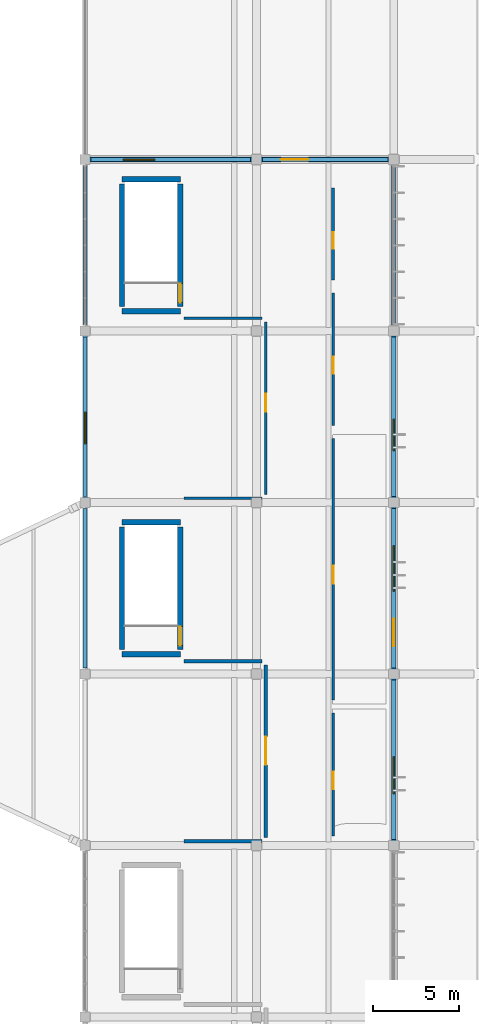
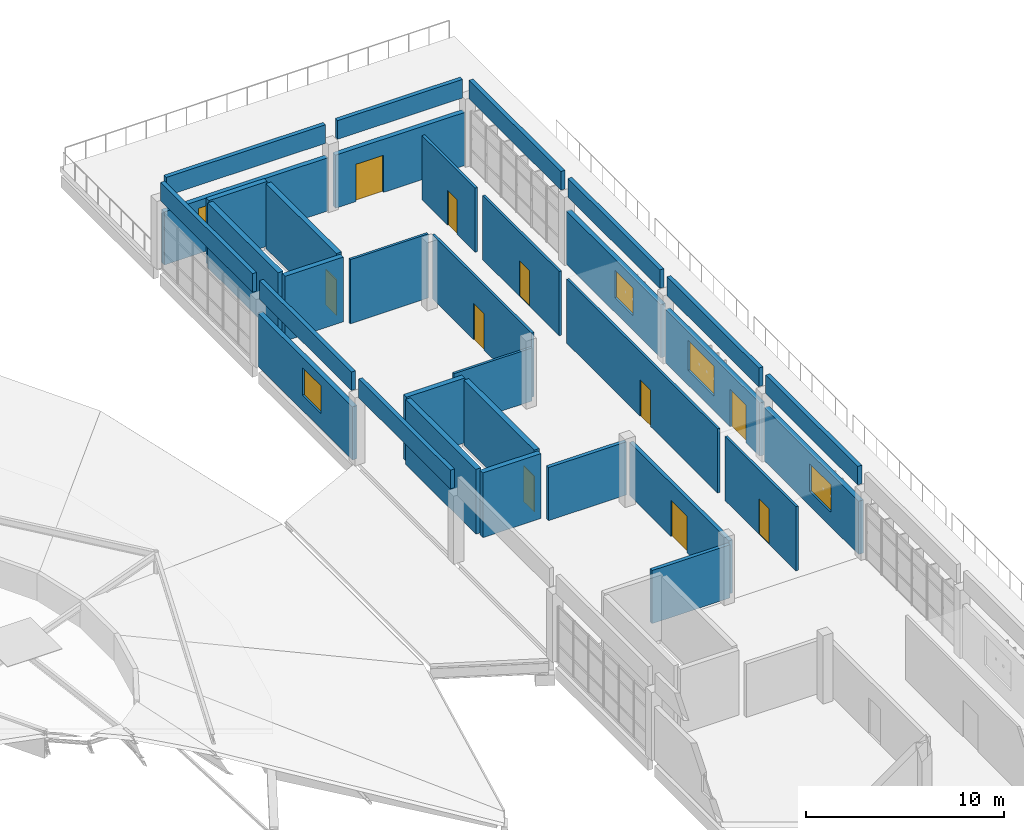
# One storey, part 32 of 39: 33 walls, 10 doors, 5 windows, 15 openings.
"""IFC4 building model written with IfcOpenShell, lengths in metres."""

from ifc_helpers import new_model, si_unit, direction, frame, frame_2d, origin, place, context, subcontext, project, spatial, rectangle, extrude, material, layer, layer_set, type_object, element, fill, save


model = new_model("IFC4")

# Units and contexts
model_context = context("Model", 3, precision=1e-05, world=origin(), true_north=direction((0.0, 1.0)))
body_context = subcontext(model_context, "Body", "Model", "MODEL_VIEW")
ifc_project = project(units=[si_unit("LENGTHUNIT", "METRE"), si_unit("AREAUNIT", "SQUARE_METRE"), si_unit("VOLUMEUNIT", "CUBIC_METRE"), si_unit("PLANEANGLEUNIT", "RADIAN"), si_unit("MASSUNIT", "GRAM", prefix="KILO")], contexts=[model_context])

# Site, building, storey
site_placement = place(None, origin())
site = spatial("IfcSite", under=ifc_project, at=site_placement, CompositionType="ELEMENT")
building_placement = place(site_placement, origin())
building = spatial("IfcBuilding", under=site, at=building_placement, Name="Corvandel Quay Wholesale Market", CompositionType="ELEMENT")
storey_placement = place(building_placement, frame((0.0, 0.0, 15.0)))
storey = spatial("IfcBuildingStorey", under=building, at=storey_placement, Name="L03", CompositionType="ELEMENT", Elevation=15.0)

# Wall, opening, window
ifc_material_1 = material(Name="Buff-pigmented precast concrete C45/55", Category="concrete")
ifc_layer_1 = layer(ifc_material_1, 0.280029296875)
ifc_layer_set_1 = layer_set([ifc_layer_1], Name="Buff-pigmented precast concrete C45/55")
wall_type_1 = type_object("IfcWallType", Name="Colonnade Spandrel Precast Wall EW07 280", PredefinedType="SOLIDWALL", material=ifc_layer_set_1)
wall_1_placement = place(storey_placement, frame((238.0, 50.219970703125, 0.0), z_axis=(0.0, 0.0, 1.0), x_axis=(0.0, 1.0, 0.0)))
wall_1 = element("IfcWall", 1, at=wall_1_placement, inside=storey, type_object=wall_type_1, Name="Exterior Wall EW-0386", PredefinedType="SOLIDWALL", context=body_context, shape_type="SweptSolid", body=[
    extrude(rectangle(XDim=9.56005859375, YDim=0.280029296875, at=frame_2d((4.780029296875, 0.0))), origin(), (0.0, 0.0, 1.0), 3.280029296875),
])
opening_1_placement = place(wall_1_placement, frame((2.800048828125, 0.0, 0.89990234375)))
opening_1 = element("IfcOpeningElement", 2, at=opening_1_placement, cuts=wall_1, Name="Opening L03-W009", PredefinedType="OPENING", context=body_context, shape_type="SweptSolid", body=[
    extrude(rectangle(XDim=2.14990234375, YDim=1.699951171875, at=frame_2d((1.074951171875, 0.85009765625))), frame((0.0, 0.14990234375, 0.0), z_axis=(0.0, -1.0, 0.0), x_axis=(1.0, 0.0, 0.0)), (0.0, 0.0, 1.0), 0.300048828125),
])
ifc_material_2 = material(Name="Thermally broken bronze anodised aluminium and solar-control low-E double glazing", Category="aluminium")
window_type_1 = type_object("IfcWindowType", Name="Seminar Room Daylight Window WN28 2150x1700", PartitioningType="SINGLE_PANEL", PredefinedType="WINDOW", material=ifc_material_2)
window_1_placement = place(opening_1_placement, origin())
window_1 = element("IfcWindow", 3, at=window_1_placement, inside=storey, type_object=window_type_1, Name="Window L03-W009", OverallHeight=1.699951171875, OverallWidth=2.14990234375, PartitioningType="SINGLE_PANEL", PredefinedType="WINDOW", context=body_context, shape_type="SweptSolid", body=[
    extrude(rectangle(XDim=2.14990234375, YDim=1.699951171875, at=frame_2d((1.074951171875, 0.85009765625))), frame((0.0, 0.030029296875, 0.0), z_axis=(0.0, -1.0, 0.0), x_axis=(1.0, 0.0, 0.0)), (0.0, 0.0, 1.0), 0.06005859375),
])
fill(opening_1, window_1)

# Wall, openings, window, door
wall_2_placement = place(storey_placement, frame((238.0, 60.219970703125, 0.0), z_axis=(0.0, 0.0, 1.0), x_axis=(0.0, 1.0, 0.0)))
wall_2 = element("IfcWall", 4, at=wall_2_placement, inside=storey, type_object=wall_type_1, Name="Exterior Wall EW-0387", PredefinedType="SOLIDWALL", context=body_context, shape_type="SweptSolid", body=[
    extrude(rectangle(XDim=9.56005859375, YDim=0.280029296875, at=frame_2d((4.780029296875, 0.0))), origin(), (0.0, 0.0, 1.0), 3.280029296875),
])
opening_2_placement = place(wall_2_placement, frame((1.39990234375, 0.0, 0.0)))
opening_2 = element("IfcOpeningElement", 5, at=opening_2_placement, cuts=wall_2, Name="Opening L03-D002", PredefinedType="OPENING", context=body_context, shape_type="SweptSolid", body=[
    extrude(rectangle(XDim=1.60009765625, YDim=2.300048828125, at=frame_2d((0.800048828125, 1.14990234375))), frame((0.0, 0.14990234375, 0.0), z_axis=(0.0, -1.0, 0.0), x_axis=(1.0, 0.0, 0.0)), (0.0, 0.0, 1.0), 0.300048828125),
])
opening_3_placement = place(wall_2_placement, frame((4.60009765625, 0.0, 0.89990234375)))
opening_3 = element("IfcOpeningElement", 6, at=opening_3_placement, cuts=wall_2, Name="Opening L03-W010", PredefinedType="OPENING", context=body_context, shape_type="SweptSolid", body=[
    extrude(rectangle(XDim=2.64990234375, YDim=1.85009765625, at=frame_2d((1.324951171875, 0.925048828125))), frame((0.0, 0.14990234375, 0.0), z_axis=(0.0, -1.0, 0.0), x_axis=(1.0, 0.0, 0.0)), (0.0, 0.0, 1.0), 0.300048828125),
])
window_type_2 = type_object("IfcWindowType", Name="Boardroom Panorama Window WN27 2650x1850", PartitioningType="SINGLE_PANEL", PredefinedType="WINDOW", material=ifc_material_2)
window_2_placement = place(opening_3_placement, origin())
window_2 = element("IfcWindow", 7, at=window_2_placement, inside=storey, type_object=window_type_2, Name="Window L03-W010", OverallHeight=1.85009765625, OverallWidth=2.64990234375, PartitioningType="SINGLE_PANEL", PredefinedType="WINDOW", context=body_context, shape_type="SweptSolid", body=[
    extrude(rectangle(XDim=2.64990234375, YDim=1.85009765625, at=frame_2d((1.324951171875, 0.925048828125))), frame((0.0, 0.030029296875, 0.0), z_axis=(0.0, -1.0, 0.0), x_axis=(1.0, 0.0, 0.0)), (0.0, 0.0, 1.0), 0.06005859375),
])
fill(opening_3, window_2)
ifc_material_3 = material(Name="Bronze anodised aluminium and low-E glass", Category="aluminium")
door_type_1 = type_object("IfcDoorType", Name="Terrace Garden Access Door ED04 1600x2300", OperationType="DOUBLE_DOOR_SINGLE_SWING", PredefinedType="DOOR", material=ifc_material_3)
door_1_placement = place(opening_2_placement, origin())
door_1 = element("IfcDoor", 8, at=door_1_placement, inside=storey, type_object=door_type_1, Name="Harbour Setback Terrace Door L03-60", OperationType="DOUBLE_DOOR_SINGLE_SWING", OverallHeight=2.300048828125, OverallWidth=1.60009765625, PredefinedType="DOOR", context=body_context, shape_type="SweptSolid", body=[
    extrude(rectangle(XDim=1.60009765625, YDim=2.300048828125, at=frame_2d((0.800048828125, 1.14990234375))), frame((0.0, 0.02490234375, 0.0), z_axis=(0.0, -1.0, 0.0), x_axis=(1.0, 0.0, 0.0)), (0.0, 0.0, 1.0), 0.050048828125),
])
fill(opening_2, door_1)

# Wall, opening, window
wall_3_placement = place(storey_placement, frame((238.0, 70.219970703125, 0.0), z_axis=(0.0, 0.0, 1.0), x_axis=(0.0, 1.0, 0.0)))
wall_3 = element("IfcWall", 9, at=wall_3_placement, inside=storey, type_object=wall_type_1, Name="Exterior Wall EW-0388", PredefinedType="SOLIDWALL", context=body_context, shape_type="SweptSolid", body=[
    extrude(rectangle(XDim=9.56005859375, YDim=0.280029296875, at=frame_2d((4.780029296875, 0.0))), origin(), (0.0, 0.0, 1.0), 3.280029296875),
])
opening_4_placement = place(wall_3_placement, frame((2.800048828125, 0.0, 0.89990234375)))
opening_4 = element("IfcOpeningElement", 10, at=opening_4_placement, cuts=wall_3, Name="Opening L03-W011", PredefinedType="OPENING", context=body_context, shape_type="SweptSolid", body=[
    extrude(rectangle(XDim=1.85009765625, YDim=1.699951171875, at=frame_2d((0.925048828125, 0.85009765625))), frame((0.0, 0.14990234375, 0.0), z_axis=(0.0, -1.0, 0.0), x_axis=(1.0, 0.0, 0.0)), (0.0, 0.0, 1.0), 0.300048828125),
])
window_type_3 = type_object("IfcWindowType", Name="Superintendent Suite Window WN20 1850x1700", PartitioningType="SINGLE_PANEL", PredefinedType="WINDOW", material=ifc_material_2)
window_3_placement = place(opening_4_placement, origin())
window_3 = element("IfcWindow", 11, at=window_3_placement, inside=storey, type_object=window_type_3, Name="Window L03-W011", OverallHeight=1.699951171875, OverallWidth=1.85009765625, PartitioningType="SINGLE_PANEL", PredefinedType="WINDOW", context=body_context, shape_type="SweptSolid", body=[
    extrude(rectangle(XDim=1.85009765625, YDim=1.699951171875, at=frame_2d((0.925048828125, 0.85009765625))), frame((0.0, 0.030029296875, 0.0), z_axis=(0.0, -1.0, 0.0), x_axis=(1.0, 0.0, 0.0)), (0.0, 0.0, 1.0), 0.06005859375),
])
fill(opening_4, window_3)

wall_4_placement = place(storey_placement, frame((220.0, 70.219970703125, 0.0), z_axis=(0.0, 0.0, 1.0), x_axis=(0.0, 1.0, 0.0)))
wall_4 = element("IfcWall", 12, at=wall_4_placement, inside=storey, type_object=wall_type_1, Name="Exterior Wall EW-0389", PredefinedType="SOLIDWALL", context=body_context, shape_type="SweptSolid", body=[
    extrude(rectangle(XDim=9.56005859375, YDim=0.280029296875, at=frame_2d((4.780029296875, 0.0))), origin(), (0.0, 0.0, 1.0), 3.280029296875),
])
opening_5_placement = place(wall_4_placement, frame((3.199951171875, 0.0, 0.949951171875)))
opening_5 = element("IfcOpeningElement", 13, at=opening_5_placement, cuts=wall_4, Name="Opening L03-W012", PredefinedType="OPENING", context=body_context, shape_type="SweptSolid", body=[
    extrude(rectangle(XDim=1.85009765625, YDim=1.699951171875, at=frame_2d((0.925048828125, 0.85009765625))), frame((0.0, 0.14990234375, 0.0), z_axis=(0.0, -1.0, 0.0), x_axis=(1.0, 0.0, 0.0)), (0.0, 0.0, 1.0), 0.300048828125),
])
window_4_placement = place(opening_5_placement, origin())
window_4 = element("IfcWindow", 14, at=window_4_placement, inside=storey, type_object=window_type_3, Name="Window L03-W012", OverallHeight=1.699951171875, OverallWidth=1.85009765625, PartitioningType="SINGLE_PANEL", PredefinedType="WINDOW", context=body_context, shape_type="SweptSolid", body=[
    extrude(rectangle(XDim=1.85009765625, YDim=1.699951171875, at=frame_2d((0.925048828125, 0.85009765625))), frame((0.0, 0.030029296875, 0.0), z_axis=(0.0, -1.0, 0.0), x_axis=(1.0, 0.0, 0.0)), (0.0, 0.0, 1.0), 0.06005859375),
])
fill(opening_5, window_4)

wall_5_placement = place(storey_placement, frame((220.219970703125, 90.0, 0.0), z_axis=(0.0, 0.0, 1.0), x_axis=(1.0, 0.0, 0.0)))
wall_5 = element("IfcWall", 15, at=wall_5_placement, inside=storey, type_object=wall_type_1, Name="Exterior Wall EW-0391", PredefinedType="SOLIDWALL", context=body_context, shape_type="SweptSolid", body=[
    extrude(rectangle(XDim=9.56005859375, YDim=0.280029296875, at=frame_2d((4.780029296875, 0.0))), origin(), (0.0, 0.0, 1.0), 3.280029296875),
])
opening_6_placement = place(wall_5_placement, frame((2.0, 0.0, 1.10009765625)))
opening_6 = element("IfcOpeningElement", 16, at=opening_6_placement, cuts=wall_5, Name="Opening L03-W014", PredefinedType="OPENING", context=body_context, shape_type="SweptSolid", body=[
    extrude(rectangle(XDim=1.85009765625, YDim=1.699951171875, at=frame_2d((0.925048828125, 0.85009765625))), frame((0.0, 0.14990234375, 0.0), z_axis=(0.0, -1.0, 0.0), x_axis=(1.0, 0.0, 0.0)), (0.0, 0.0, 1.0), 0.300048828125),
])
window_5_placement = place(opening_6_placement, origin())
window_5 = element("IfcWindow", 17, at=window_5_placement, inside=storey, type_object=window_type_3, Name="Window L03-W014", OverallHeight=1.699951171875, OverallWidth=1.85009765625, PartitioningType="SINGLE_PANEL", PredefinedType="WINDOW", context=body_context, shape_type="SweptSolid", body=[
    extrude(rectangle(XDim=1.85009765625, YDim=1.699951171875, at=frame_2d((0.925048828125, 0.85009765625))), frame((0.0, 0.030029296875, 0.0), z_axis=(0.0, -1.0, 0.0), x_axis=(1.0, 0.0, 0.0)), (0.0, 0.0, 1.0), 0.06005859375),
])
fill(opening_6, window_5)

# Wall, opening, door
wall_6_placement = place(storey_placement, frame((230.219970703125, 90.0, 0.0), z_axis=(0.0, 0.0, 1.0), x_axis=(1.0, 0.0, 0.0)))
wall_6 = element("IfcWall", 18, at=wall_6_placement, inside=storey, type_object=wall_type_1, Name="Exterior Wall EW-0393", PredefinedType="SOLIDWALL", context=body_context, shape_type="SweptSolid", body=[
    extrude(rectangle(XDim=7.56005859375, YDim=0.280029296875, at=frame_2d((3.780029296875, 0.0))), origin(), (0.0, 0.0, 1.0), 3.280029296875),
])
opening_7_placement = place(wall_6_placement, frame((1.199951171875, 0.0, 0.0)))
opening_7 = element("IfcOpeningElement", 19, at=opening_7_placement, cuts=wall_6, Name="Opening L03-D003", PredefinedType="OPENING", context=body_context, shape_type="SweptSolid", body=[
    extrude(rectangle(XDim=1.60009765625, YDim=2.300048828125, at=frame_2d((0.800048828125, 1.14990234375))), frame((0.0, 0.14990234375, 0.0), z_axis=(0.0, -1.0, 0.0), x_axis=(1.0, 0.0, 0.0)), (0.0, 0.0, 1.0), 0.300048828125),
])
door_2_placement = place(opening_7_placement, origin())
door_2 = element("IfcDoor", 20, at=door_2_placement, inside=storey, type_object=door_type_1, Name="North Terrace Door L03-232", OperationType="DOUBLE_DOOR_SINGLE_SWING", OverallHeight=2.300048828125, OverallWidth=1.60009765625, PredefinedType="DOOR", context=body_context, shape_type="SweptSolid", body=[
    extrude(rectangle(XDim=1.60009765625, YDim=2.300048828125, at=frame_2d((0.800048828125, 1.14990234375))), frame((0.0, 0.02490234375, 0.0), z_axis=(0.0, -1.0, 0.0), x_axis=(1.0, 0.0, 0.0)), (0.0, 0.0, 1.0), 0.050048828125),
])
fill(opening_7, door_2)

# Wall
ifc_material_4 = material(Name="Gypsum-clad steel stud framing", Category="steel")
ifc_layer_2 = layer(ifc_material_4, 0.2099609375)
ifc_layer_set_2 = layer_set([ifc_layer_2], Name="Gypsum-clad steel stud framing")
wall_type_2 = type_object("IfcWallType", Name="Corridor Rated Partition PT02 210", PredefinedType="PARTITIONING", material=ifc_layer_set_2)
wall_7_placement = place(storey_placement, frame((225.77001953125, 60.739990234375, 0.0), z_axis=(0.0, 0.0, 1.0), x_axis=(1.0, 0.0, 0.0)))
element("IfcWall", 21, at=wall_7_placement, inside=storey, type_object=wall_type_2, Name="Interior Wall IW-0915", PredefinedType="PARTITIONING", context=body_context, shape_type="SweptSolid", body=[
    extrude(rectangle(XDim=4.550048828125, YDim=0.2099609375, at=frame_2d((2.27490234375, 0.0))), origin(), (0.0, 0.0, 1.0), 3.280029296875),
])

# Wall, opening, door
wall_8_placement = place(storey_placement, frame((230.5400390625, 60.52001953125, 0.0), z_axis=(0.0, 0.0, 1.0), x_axis=(0.0, -1.0, 0.0)))
wall_8 = element("IfcWall", 22, at=wall_8_placement, inside=storey, type_object=wall_type_2, Name="Interior Wall IW-0916", PredefinedType="PARTITIONING", context=body_context, shape_type="SweptSolid", body=[
    extrude(rectangle(XDim=10.0400390625, YDim=0.2099609375, at=frame_2d((5.02001953125, 0.0))), origin(), (0.0, 0.0, 1.0), 3.280029296875),
])
opening_8_placement = place(wall_8_placement, frame((4.169921875, 0.0, 0.0)))
opening_8 = element("IfcOpeningElement", 23, at=opening_8_placement, cuts=wall_8, Name="Opening L03-D018", PredefinedType="OPENING", context=body_context, shape_type="SweptSolid", body=[
    extrude(rectangle(XDim=1.64990234375, YDim=2.25, at=frame_2d((0.824951171875, 1.125))), frame((0.0, 0.114990234375, 0.0), z_axis=(0.0, -1.0, 0.0), x_axis=(1.0, 0.0, 0.0)), (0.0, 0.0, 1.0), 0.22998046875),
])
ifc_material_5 = material(Name="HPL-faced hygienic timber core", Category="wood")
door_type_2 = type_object("IfcDoorType", Name="Laboratory Double Door ID08 1650x2250", OperationType="DOUBLE_DOOR_SINGLE_SWING", PredefinedType="DOOR", material=ifc_material_5)
door_3_placement = place(opening_8_placement, origin())
door_3 = element("IfcDoor", 24, at=door_3_placement, inside=storey, type_object=door_type_2, Name="Environmental Quality Control Laboratory Door", OperationType="DOUBLE_DOOR_SINGLE_SWING", OverallHeight=2.25, OverallWidth=1.64990234375, PredefinedType="DOOR", context=body_context, shape_type="SweptSolid", body=[
    extrude(rectangle(XDim=1.64990234375, YDim=2.25, at=frame_2d((0.824951171875, 1.125))), frame((0.0, 0.02490234375, 0.0), z_axis=(0.0, -1.0, 0.0), x_axis=(1.0, 0.0, 0.0)), (0.0, 0.0, 1.0), 0.050048828125),
])
fill(opening_8, door_3)

# Wall
wall_9_placement = place(storey_placement, frame((230.320068359375, 50.260009765625, 0.0), z_axis=(0.0, 0.0, 1.0), x_axis=(-1.0, 0.0, 0.0)))
element("IfcWall", 25, at=wall_9_placement, inside=storey, type_object=wall_type_2, Name="Interior Wall IW-0917", PredefinedType="PARTITIONING", context=body_context, shape_type="SweptSolid", body=[
    extrude(rectangle(XDim=4.550048828125, YDim=0.2099609375, at=frame_2d((2.27490234375, 0.0))), origin(), (0.0, 0.0, 1.0), 3.280029296875),
])

# Wall, opening, door
ifc_material_6 = material(Name="Double-layer acoustic gypsum stud partition")
ifc_layer_3 = layer(ifc_material_6, 0.139892578125)
ifc_layer_set_3 = layer_set([ifc_layer_3], Name="Double-layer acoustic gypsum stud partition")
wall_type_3 = type_object("IfcWallType", Name="Office Acoustic Partition PT07 140", PredefinedType="PARTITIONING", material=ifc_layer_set_3)
wall_10_placement = place(storey_placement, frame((234.4599609375, 50.556396484375, 0.0), z_axis=(0.0, 0.0, 1.0), x_axis=(0.0, 1.0, 0.0)))
wall_10 = element("IfcWall", 26, at=wall_10_placement, inside=storey, type_object=wall_type_3, Name="Interior Wall IW-0908", PredefinedType="PARTITIONING", context=body_context, shape_type="SweptSolid", body=[
    extrude(rectangle(XDim=7.16357421875, YDim=0.139892578125, at=frame_2d((3.581787109375, 0.0))), origin(), (0.0, 0.0, 1.0), 3.9599609375),
])
opening_9_placement = place(wall_10_placement, frame((2.73193359375, 0.0, 0.0)))
opening_9 = element("IfcOpeningElement", 27, at=opening_9_placement, cuts=wall_10, Name="Opening L03-D013", PredefinedType="OPENING", context=body_context, shape_type="SweptSolid", body=[
    extrude(rectangle(XDim=1.0, YDim=2.199951171875, at=frame_2d((0.5, 1.10009765625))), frame((0.0, 0.079833984375, 0.0), z_axis=(0.0, -1.0, 0.0), x_axis=(1.0, 0.0, 0.0)), (0.0, 0.0, 1.0), 0.159912109375),
])
ifc_material_7 = material(Name="Stained oak solid-core acoustic timber", Category="wood")
door_type_3 = type_object("IfcDoorType", Name="Office Entry Door ID09 1000x2200L", OperationType="SINGLE_SWING_LEFT", PredefinedType="DOOR", material=ifc_material_7)
door_4_placement = place(opening_9_placement, origin())
door_4 = element("IfcDoor", 28, at=door_4_placement, inside=storey, type_object=door_type_3, Name="Market Traders Office Suite North Door", OperationType="SINGLE_SWING_LEFT", OverallHeight=2.199951171875, OverallWidth=1.0, PredefinedType="DOOR", context=body_context, shape_type="SweptSolid", body=[
    extrude(rectangle(XDim=1.0, YDim=2.199951171875, at=frame_2d((0.5, 1.10009765625))), frame((0.0, 0.02490234375, 0.0), z_axis=(0.0, -1.0, 0.0), x_axis=(1.0, 0.0, 0.0)), (0.0, 0.0, 1.0), 0.050048828125),
])
fill(opening_9, door_4)

wall_11_placement = place(storey_placement, frame((234.4599609375, 58.47998046875, 0.0), z_axis=(0.0, 0.0, 1.0), x_axis=(0.0, 1.0, 0.0)))
wall_11 = element("IfcWall", 29, at=wall_11_placement, inside=storey, type_object=wall_type_3, Name="Interior Wall IW-0909", PredefinedType="PARTITIONING", context=body_context, shape_type="SweptSolid", body=[
    extrude(rectangle(XDim=15.239990234375, YDim=0.139892578125, at=frame_2d((7.6201171875, 0.0))), origin(), (0.0, 0.0, 1.0), 3.9599609375),
])
opening_10_placement = place(wall_11_placement, frame((6.77001953125, 0.0, 0.0)))
opening_10 = element("IfcOpeningElement", 30, at=opening_10_placement, cuts=wall_11, Name="Opening L03-D014", PredefinedType="OPENING", context=body_context, shape_type="SweptSolid", body=[
    extrude(rectangle(XDim=1.050048828125, YDim=2.25, at=frame_2d((0.52490234375, 1.125))), frame((0.0, 0.079833984375, 0.0), z_axis=(0.0, -1.0, 0.0), x_axis=(1.0, 0.0, 0.0)), (0.0, 0.0, 1.0), 0.159912109375),
])
ifc_material_8 = material(Name="Stained oak acoustic glazed timber", Category="wood")
door_type_4 = type_object("IfcDoorType", Name="Meeting Room Door ID12 1050x2250R", OperationType="SINGLE_SWING_RIGHT", PredefinedType="DOOR", material=ifc_material_8)
door_5_placement = place(opening_10_placement, origin())
door_5 = element("IfcDoor", 31, at=door_5_placement, inside=storey, type_object=door_type_4, Name="Market Exhibition Seminar Room Door", OperationType="SINGLE_SWING_RIGHT", OverallHeight=2.25, OverallWidth=1.050048828125, PredefinedType="DOOR", context=body_context, shape_type="SweptSolid", body=[
    extrude(rectangle(XDim=1.050048828125, YDim=2.25, at=frame_2d((0.52490234375, 1.125))), frame((0.0, 0.02490234375, 0.0), z_axis=(0.0, -1.0, 0.0), x_axis=(1.0, 0.0, 0.0)), (0.0, 0.0, 1.0), 0.050048828125),
])
fill(opening_10, door_5)

wall_12_placement = place(storey_placement, frame((234.4599609375, 74.47998046875, 0.0), z_axis=(0.0, 0.0, 1.0), x_axis=(0.0, 1.0, 0.0)))
wall_12 = element("IfcWall", 32, at=wall_12_placement, inside=storey, type_object=wall_type_3, Name="Interior Wall IW-0910", PredefinedType="PARTITIONING", context=body_context, shape_type="SweptSolid", body=[
    extrude(rectangle(XDim=7.739990234375, YDim=0.139892578125, at=frame_2d((3.8701171875, 0.0))), origin(), (0.0, 0.0, 1.0), 3.9599609375),
])
opening_11_placement = place(wall_12_placement, frame((3.02001953125, 0.0, 0.0)))
opening_11 = element("IfcOpeningElement", 33, at=opening_11_placement, cuts=wall_12, Name="Opening L03-D015", PredefinedType="OPENING", context=body_context, shape_type="SweptSolid", body=[
    extrude(rectangle(XDim=1.0, YDim=2.199951171875, at=frame_2d((0.5, 1.10009765625))), frame((0.0, 0.079833984375, 0.0), z_axis=(0.0, -1.0, 0.0), x_axis=(1.0, 0.0, 0.0)), (0.0, 0.0, 1.0), 0.159912109375),
])
door_6_placement = place(opening_11_placement, origin())
door_6 = element("IfcDoor", 34, at=door_6_placement, inside=storey, type_object=door_type_3, Name="Staff Refreshment Pantry and Lounge Door", OperationType="SINGLE_SWING_LEFT", OverallHeight=2.199951171875, OverallWidth=1.0, PredefinedType="DOOR", context=body_context, shape_type="SweptSolid", body=[
    extrude(rectangle(XDim=1.0, YDim=2.199951171875, at=frame_2d((0.5, 1.10009765625))), frame((0.0, 0.02490234375, 0.0), z_axis=(0.0, -1.0, 0.0), x_axis=(1.0, 0.0, 0.0)), (0.0, 0.0, 1.0), 0.050048828125),
])
fill(opening_11, door_6)

# Wall
wall_13_placement = place(storey_placement, frame((225.77001953125, 80.739990234375, 0.0), z_axis=(0.0, 0.0, 1.0), x_axis=(1.0, 0.0, 0.0)))
element("IfcWall", 35, at=wall_13_placement, inside=storey, type_object=wall_type_3, Name="Interior Wall IW-0918", PredefinedType="PARTITIONING", context=body_context, shape_type="SweptSolid", body=[
    extrude(rectangle(XDim=4.550048828125, YDim=0.139892578125, at=frame_2d((2.27490234375, 0.0))), origin(), (0.0, 0.0, 1.0), 3.9599609375),
])

# Wall, opening, door
wall_14_placement = place(storey_placement, frame((230.5400390625, 80.52001953125, 0.0), z_axis=(0.0, 0.0, 1.0), x_axis=(0.0, -1.0, 0.0)))
wall_14 = element("IfcWall", 36, at=wall_14_placement, inside=storey, type_object=wall_type_3, Name="Interior Wall IW-0919", PredefinedType="PARTITIONING", context=body_context, shape_type="SweptSolid", body=[
    extrude(rectangle(XDim=10.0400390625, YDim=0.139892578125, at=frame_2d((5.02001953125, 0.0))), origin(), (0.0, 0.0, 1.0), 3.9599609375),
])
opening_12_placement = place(wall_14_placement, frame((4.169921875, 0.0, 0.0)))
opening_12 = element("IfcOpeningElement", 37, at=opening_12_placement, cuts=wall_14, Name="Opening L03-D019", PredefinedType="OPENING", context=body_context, shape_type="SweptSolid", body=[
    extrude(rectangle(XDim=1.050048828125, YDim=2.25, at=frame_2d((0.52490234375, 1.125))), frame((0.0, 0.079833984375, 0.0), z_axis=(0.0, -1.0, 0.0), x_axis=(1.0, 0.0, 0.0)), (0.0, 0.0, 1.0), 0.159912109375),
])
door_type_5 = type_object("IfcDoorType", Name="Meeting Room Door ID11 1050x2250L", OperationType="SINGLE_SWING_LEFT", PredefinedType="DOOR", material=ifc_material_8)
door_7_placement = place(opening_12_placement, origin())
door_7 = element("IfcDoor", 38, at=door_7_placement, inside=storey, type_object=door_type_5, Name="Trade Arbitration Hearing Room Door", OperationType="SINGLE_SWING_LEFT", OverallHeight=2.25, OverallWidth=1.050048828125, PredefinedType="DOOR", context=body_context, shape_type="SweptSolid", body=[
    extrude(rectangle(XDim=1.050048828125, YDim=2.25, at=frame_2d((0.52490234375, 1.125))), frame((0.0, 0.02490234375, 0.0), z_axis=(0.0, -1.0, 0.0), x_axis=(1.0, 0.0, 0.0)), (0.0, 0.0, 1.0), 0.050048828125),
])
fill(opening_12, door_7)

# Walls
wall_15_placement = place(storey_placement, frame((230.320068359375, 70.260009765625, 0.0), z_axis=(0.0, 0.0, 1.0), x_axis=(-1.0, 0.0, 0.0)))
element("IfcWall", 39, at=wall_15_placement, inside=storey, type_object=wall_type_3, Name="Interior Wall IW-0920", PredefinedType="PARTITIONING", context=body_context, shape_type="SweptSolid", body=[
    extrude(rectangle(XDim=4.550048828125, YDim=0.139892578125, at=frame_2d((2.27490234375, 0.0))), origin(), (0.0, 0.0, 1.0), 3.280029296875),
])
ifc_material_9 = material(Name="White precast concrete C45/55", Category="concrete")
ifc_layer_4 = layer(ifc_material_9, 0.239990234375)
ifc_layer_set_4 = layer_set([ifc_layer_4], Name="White precast concrete C45/55")
wall_type_4 = type_object("IfcWallType", Name="Roof Precast Parapet Wall PP01 240", PredefinedType="PARAPET", material=ifc_layer_set_4)
wall_16_placement = place(storey_placement, frame((220.35009765625, 90.0, 4.199951171875), z_axis=(0.0, 0.0, 1.0), x_axis=(1.0, 0.0, 0.0)))
element("IfcWall", 40, at=wall_16_placement, inside=storey, type_object=wall_type_4, Name="Exterior Wall EW-0395", PredefinedType="PARAPET", context=body_context, shape_type="SweptSolid", body=[
    extrude(rectangle(XDim=9.2998046875, YDim=0.239990234375, at=frame_2d((4.64990234375, 0.0))), origin(), (0.0, 0.0, 1.0), 1.150146484375),
])
wall_17_placement = place(storey_placement, frame((230.35009765625, 90.0, 4.199951171875), z_axis=(0.0, 0.0, 1.0), x_axis=(1.0, 0.0, 0.0)))
element("IfcWall", 41, at=wall_17_placement, inside=storey, type_object=wall_type_4, Name="Exterior Wall EW-0397", PredefinedType="PARAPET", context=body_context, shape_type="SweptSolid", body=[
    extrude(rectangle(XDim=7.2998046875, YDim=0.239990234375, at=frame_2d((3.64990234375, 0.0))), origin(), (0.0, 0.0, 1.0), 1.150146484375),
])
for number, where, z_axis, x_axis, name in (
    (42, (238.0, 50.35009765625, 4.199951171875), (0.0, 0.0, 1.0), (0.0, 1.0, 0.0), "Exterior Wall EW-0407"),
    (43, (220.0, 60.35009765625, 4.199951171875), (0.0, 0.0, 1.0), (0.0, 1.0, 0.0), "Exterior Wall EW-0408"),
    (44, (238.0, 60.35009765625, 4.199951171875), (0.0, 0.0, 1.0), (0.0, 1.0, 0.0), "Exterior Wall EW-0409"),
    (45, (220.0, 70.35009765625, 4.199951171875), (0.0, 0.0, 1.0), (0.0, 1.0, 0.0), "Exterior Wall EW-0410"),
    (46, (238.0, 70.35009765625, 4.199951171875), (0.0, 0.0, 1.0), (0.0, 1.0, 0.0), "Exterior Wall EW-0411"),
    (47, (220.0, 80.35009765625, 4.199951171875), (0.0, 0.0, 1.0), (0.0, 1.0, 0.0), "Exterior Wall EW-0412"),
    (48, (238.0, 80.35009765625, 4.199951171875), (0.0, 0.0, 1.0), (0.0, 1.0, 0.0), "Exterior Wall EW-0413"),
):
    element("IfcWall", number, at=place(storey_placement, frame(where, z_axis=z_axis, x_axis=x_axis)), inside=storey, type_object=wall_type_4, Name=name, PredefinedType="PARAPET", context=body_context, shape_type="SweptSolid", body=[
        extrude(rectangle(XDim=9.2998046875, YDim=0.239990234375, at=frame_2d((4.64990234375, 0.0))), origin(), (0.0, 0.0, 1.0), 1.150146484375),
    ])

# Wall, opening, door
ifc_material_10 = material(Name="Moisture-resistant tile-backer partition")
ifc_layer_5 = layer(ifc_material_10, 0.159912109375)
ifc_layer_set_5 = layer_set([ifc_layer_5], Name="Moisture-resistant tile-backer partition")
wall_type_5 = type_object("IfcWallType", Name="Sanitary Tile Partition PT06 160", PredefinedType="PARTITIONING", material=ifc_layer_set_5)
wall_18_placement = place(storey_placement, frame((234.4599609375, 82.97998046875, 0.0), z_axis=(0.0, 0.0, 1.0), x_axis=(0.0, 1.0, 0.0)))
wall_18 = element("IfcWall", 49, at=wall_18_placement, inside=storey, type_object=wall_type_5, Name="Interior Wall IW-0911", PredefinedType="PARTITIONING", context=body_context, shape_type="SweptSolid", body=[
    extrude(rectangle(XDim=5.35009765625, YDim=0.159912109375, at=frame_2d((2.675048828125, 0.0))), origin(), (0.0, 0.0, 1.0), 3.9599609375),
])
opening_13_placement = place(wall_18_placement, frame((1.824951171875, 0.0, 0.0)))
opening_13 = element("IfcOpeningElement", 50, at=opening_13_placement, cuts=wall_18, Name="Opening L03-D016", PredefinedType="OPENING", context=body_context, shape_type="SweptSolid", body=[
    extrude(rectangle(XDim=0.949951171875, YDim=2.14990234375, at=frame_2d((0.47509765625, 1.074951171875))), frame((0.0, 0.08984375, 0.0), z_axis=(0.0, -1.0, 0.0), x_axis=(1.0, 0.0, 0.0)), (0.0, 0.0, 1.0), 0.179931640625),
])
ifc_material_11 = material(Name="Moisture-resistant HPL solid core")
door_type_6 = type_object("IfcDoorType", Name="Accessible Restroom Door ID14 950x2150R", OperationType="SINGLE_SWING_RIGHT", PredefinedType="DOOR", material=ifc_material_11)
door_8_placement = place(opening_13_placement, origin())
door_8 = element("IfcDoor", 51, at=door_8_placement, inside=storey, type_object=door_type_6, Name="Public Accessible Toilet and Restroom L03 Door", OperationType="SINGLE_SWING_RIGHT", OverallHeight=2.14990234375, OverallWidth=0.949951171875, PredefinedType="DOOR", context=body_context, shape_type="SweptSolid", body=[
    extrude(rectangle(XDim=0.949951171875, YDim=2.14990234375, at=frame_2d((0.47509765625, 1.074951171875))), frame((0.0, 0.02490234375, 0.0), z_axis=(0.0, -1.0, 0.0), x_axis=(1.0, 0.0, 0.0)), (0.0, 0.0, 1.0), 0.050048828125),
])
fill(opening_13, door_8)

# Walls
ifc_material_12 = material(Name="Concrete C40/50", Category="concrete")
ifc_layer_6 = layer(ifc_material_12, 0.300048828125)
ifc_layer_set_6 = layer_set([ifc_layer_6], Name="Concrete C40/50")
wall_type_6 = type_object("IfcWallType", Name="Stair Shaft Shear Wall SW02 300", PredefinedType="SHEAR", material=ifc_layer_set_6)
for number, where, z_axis, x_axis, name in (
    (52, (222.14990234375, 61.14990234375, 0.0), (0.0, 0.0, 1.0), (1.0, 0.0, 0.0), "Shear Wall IW-0205"),
    (53, (222.14990234375, 68.85009765625, 0.0), (0.0, 0.0, 1.0), (1.0, 0.0, 0.0), "Shear Wall IW-0206"),
):
    element("IfcWall", number, at=place(storey_placement, frame(where, z_axis=z_axis, x_axis=x_axis)), inside=storey, type_object=wall_type_6, Name=name, PredefinedType="SHEAR", context=body_context, shape_type="SweptSolid", body=[
        extrude(rectangle(XDim=3.400146484375, YDim=0.300048828125, at=frame_2d((1.7001953125, 0.0))), origin(), (0.0, 0.0, 1.0), 4.0),
    ])
wall_19_placement = place(storey_placement, frame((222.14990234375, 61.43994140625, 0.0), z_axis=(0.0, 0.0, 1.0), x_axis=(0.0, 1.0, 0.0)))
element("IfcWall", 54, at=wall_19_placement, inside=storey, type_object=wall_type_6, Name="Shear Wall IW-0207", PredefinedType="SHEAR", context=body_context, shape_type="SweptSolid", body=[
    extrude(rectangle(XDim=7.1201171875, YDim=0.300048828125, at=frame_2d((3.56005859375, 0.0))), origin(), (0.0, 0.0, 1.0), 4.0),
])

# Wall, opening, door
wall_20_placement = place(storey_placement, frame((225.550048828125, 61.43994140625, 0.0), z_axis=(0.0, 0.0, 1.0), x_axis=(0.0, 1.0, 0.0)))
wall_20 = element("IfcWall", 55, at=wall_20_placement, inside=storey, type_object=wall_type_6, Name="Shear Wall IW-0208", PredefinedType="SHEAR", context=body_context, shape_type="SweptSolid", body=[
    extrude(rectangle(XDim=7.1201171875, YDim=0.300048828125, at=frame_2d((3.56005859375, 0.0))), origin(), (0.0, 0.0, 1.0), 4.0),
])
opening_14_placement = place(wall_20_placement, frame((0.219970703125, 0.0, 0.0)))
opening_14 = element("IfcOpeningElement", 56, at=opening_14_placement, cuts=wall_20, Name="Opening L03-D006", PredefinedType="OPENING", context=body_context, shape_type="SweptSolid", body=[
    extrude(rectangle(XDim=1.10009765625, YDim=2.199951171875, at=frame_2d((0.550048828125, 1.10009765625))), frame((0.0, 0.159912109375, 0.0), z_axis=(0.0, -1.0, 0.0), x_axis=(1.0, 0.0, 0.0)), (0.0, 0.0, 1.0), 0.320068359375),
])
ifc_material_13 = material(Name="Galvanised fire-rated hollow steel", Category="steel")
door_type_7 = type_object("IfcDoorType", Name="Exit Stair Fire Door ID02 1100x2200R", OperationType="SINGLE_SWING_RIGHT", PredefinedType="DOOR", material=ifc_material_13)
door_9_placement = place(opening_14_placement, origin())
door_9 = element("IfcDoor", 57, at=door_9_placement, inside=storey, type_object=door_type_7, Name="Exit Stair Door SH18-L03", OperationType="SINGLE_SWING_RIGHT", OverallHeight=2.199951171875, OverallWidth=1.10009765625, PredefinedType="DOOR", context=body_context, shape_type="SweptSolid", body=[
    extrude(rectangle(XDim=1.10009765625, YDim=2.199951171875, at=frame_2d((0.550048828125, 1.10009765625))), frame((0.0, 0.02490234375, 0.0), z_axis=(0.0, -1.0, 0.0), x_axis=(1.0, 0.0, 0.0)), (0.0, 0.0, 1.0), 0.050048828125),
])
fill(opening_14, door_9)

# Walls
for number, where, z_axis, x_axis, name in (
    (58, (222.14990234375, 81.14990234375, 0.0), (0.0, 0.0, 1.0), (1.0, 0.0, 0.0), "Shear Wall IW-0237"),
    (59, (222.14990234375, 88.85009765625, 0.0), (0.0, 0.0, 1.0), (1.0, 0.0, 0.0), "Shear Wall IW-0238"),
):
    element("IfcWall", number, at=place(storey_placement, frame(where, z_axis=z_axis, x_axis=x_axis)), inside=storey, type_object=wall_type_6, Name=name, PredefinedType="SHEAR", context=body_context, shape_type="SweptSolid", body=[
        extrude(rectangle(XDim=3.400146484375, YDim=0.300048828125, at=frame_2d((1.7001953125, 0.0))), origin(), (0.0, 0.0, 1.0), 4.0),
    ])
wall_21_placement = place(storey_placement, frame((222.14990234375, 81.43994140625, 0.0), z_axis=(0.0, 0.0, 1.0), x_axis=(0.0, 1.0, 0.0)))
element("IfcWall", 60, at=wall_21_placement, inside=storey, type_object=wall_type_6, Name="Shear Wall IW-0239", PredefinedType="SHEAR", context=body_context, shape_type="SweptSolid", body=[
    extrude(rectangle(XDim=7.1201171875, YDim=0.300048828125, at=frame_2d((3.56005859375, 0.0))), origin(), (0.0, 0.0, 1.0), 4.0),
])

# Wall, opening, door
wall_22_placement = place(storey_placement, frame((225.550048828125, 81.43994140625, 0.0), z_axis=(0.0, 0.0, 1.0), x_axis=(0.0, 1.0, 0.0)))
wall_22 = element("IfcWall", 61, at=wall_22_placement, inside=storey, type_object=wall_type_6, Name="Shear Wall IW-0240", PredefinedType="SHEAR", context=body_context, shape_type="SweptSolid", body=[
    extrude(rectangle(XDim=7.1201171875, YDim=0.300048828125, at=frame_2d((3.56005859375, 0.0))), origin(), (0.0, 0.0, 1.0), 4.0),
])
opening_15_placement = place(wall_22_placement, frame((0.219970703125, 0.0, 0.0)))
opening_15 = element("IfcOpeningElement", 62, at=opening_15_placement, cuts=wall_22, Name="Opening L03-D008", PredefinedType="OPENING", context=body_context, shape_type="SweptSolid", body=[
    extrude(rectangle(XDim=1.10009765625, YDim=2.199951171875, at=frame_2d((0.550048828125, 1.10009765625))), frame((0.0, 0.159912109375, 0.0), z_axis=(0.0, -1.0, 0.0), x_axis=(1.0, 0.0, 0.0)), (0.0, 0.0, 1.0), 0.320068359375),
])
door_10_placement = place(opening_15_placement, origin())
door_10 = element("IfcDoor", 63, at=door_10_placement, inside=storey, type_object=door_type_7, Name="Exit Stair Door SH20-L03", OperationType="SINGLE_SWING_RIGHT", OverallHeight=2.199951171875, OverallWidth=1.10009765625, PredefinedType="DOOR", context=body_context, shape_type="SweptSolid", body=[
    extrude(rectangle(XDim=1.10009765625, YDim=2.199951171875, at=frame_2d((0.550048828125, 1.10009765625))), frame((0.0, 0.02490234375, 0.0), z_axis=(0.0, -1.0, 0.0), x_axis=(1.0, 0.0, 0.0)), (0.0, 0.0, 1.0), 0.050048828125),
])
fill(opening_15, door_10)

save(model, "model.ifc")
